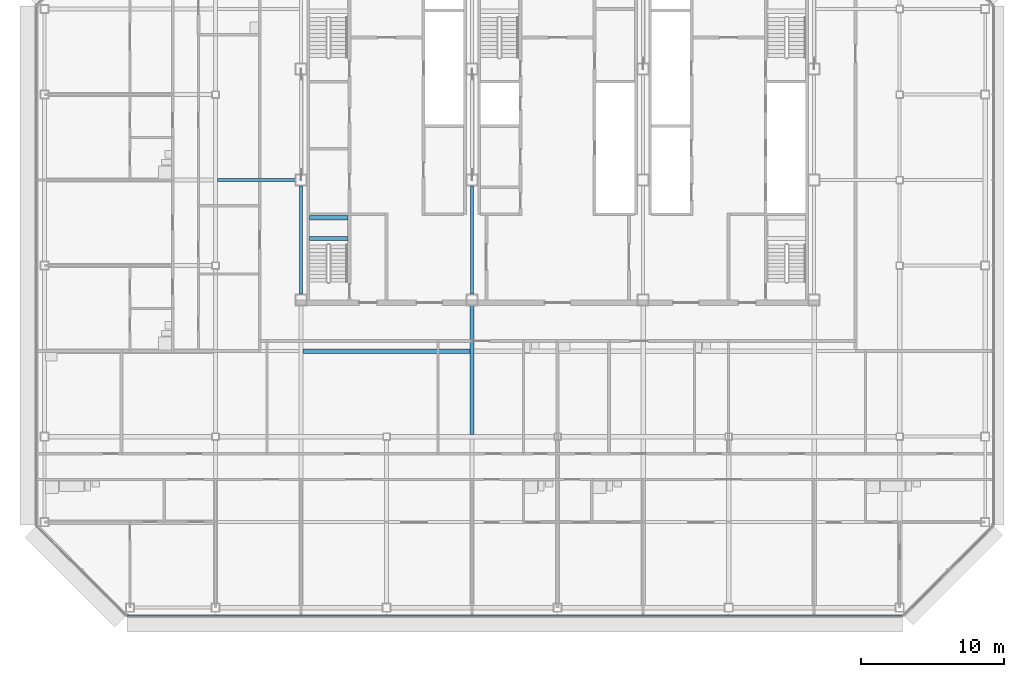
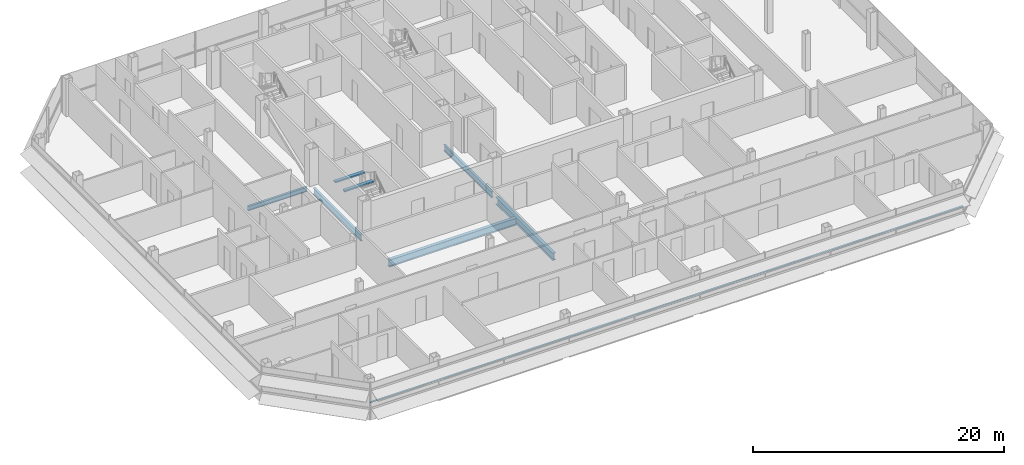
# One storey, part 8 of 28: 7 beams, 1 member, 1 element without a shape of its own.
"""IFC4 building model written with IfcOpenShell, lengths in metres."""

from ifc_helpers import new_model, si_unit, direction, frame, origin, origin_2d, place, context, subcontext, project, spatial, rectangle, i_section, extrude, material, material_profile, profile_set, type_object, element, aggregate, save


model = new_model("IFC4")

# Units and contexts
model_context = context("Model", 3, precision=1e-05, world=origin(), true_north=direction((0.0, 1.0)))
body_context = subcontext(model_context, "Body", "Model", "MODEL_VIEW")
ifc_project = project(units=[si_unit("LENGTHUNIT", "METRE"), si_unit("AREAUNIT", "SQUARE_METRE"), si_unit("VOLUMEUNIT", "CUBIC_METRE"), si_unit("PLANEANGLEUNIT", "RADIAN"), si_unit("MASSUNIT", "GRAM", prefix="KILO")], contexts=[model_context])

# Site, building, storey
site_placement = place(None, origin())
site = spatial("IfcSite", under=ifc_project, at=site_placement, CompositionType="ELEMENT")
building_placement = place(site_placement, origin())
building = spatial("IfcBuilding", under=site, at=building_placement, Name="Sorahane Residences", CompositionType="ELEMENT")
storey_placement = place(building_placement, frame((0.0, 0.0, 270.199951171875)))
storey = spatial("IfcBuildingStorey", under=building, at=storey_placement, Name="L64", CompositionType="ELEMENT", Elevation=270.199951171875)

# Curtain wall, member
ifc_material_1 = material(Name="Dark low-e glass and black anodised aluminium", Category="aluminium")
curtain_wall_type = type_object("IfcCurtainWallType", Name="Curtain wall CW-1 Typical unitised wall", PredefinedType="NOTDEFINED", material=ifc_material_1)
curtain_wall_placement = place(storey_placement, origin())
curtain_wall = element("IfcCurtainWall", 1, at=curtain_wall_placement, inside=storey, type_object=curtain_wall_type, Name="CW-1 curtain wall L64 S1", PredefinedType="NOTDEFINED")
ifc_material_2 = material(Name="Black anodised aluminium", Category="aluminium")
ifc_material_profile_1 = material_profile(ifc_material_2, rectangle(XDim=0.10009765625, YDim=0.06005859375, at=origin_2d()), Name="Curtain wall transom CW-1 black anodised aluminium 60x100")
ifc_profile_set_1 = profile_set([ifc_material_profile_1], Name="Black anodised aluminium")
member_type = type_object("IfcMemberType", Name="Curtain wall transom CW-1 black anodised aluminium 60x100", PredefinedType="USERDEFINED", material=ifc_profile_set_1)
member_placement = place(storey_placement, frame((-6.198486328125, -0.530029296875, 1.5), z_axis=(1.0, 0.0, 0.0), x_axis=(0.0, 1.0, 0.0)))
member = element("IfcMember", 2, at=member_placement, type_object=member_type, Name="CW-1 transom L64 S1", ObjectType="TRANSOM", PredefinedType="USERDEFINED", context=body_context, shape_type="SweptSolid", body=[
    extrude(rectangle(XDim=0.10009765625, YDim=0.06005859375, at=origin_2d()), origin(), (0.0, 0.0, 1.0), 54.39697265625),
])
aggregate(curtain_wall, [member])

# Beams
ifc_material_3 = material(Name="Concrete C40", Category="concrete")
ifc_material_profile_2 = material_profile(ifc_material_3, rectangle(XDim=0.300048828125, YDim=0.139892578125, at=origin_2d()), Name="300x140")
ifc_profile_set_2 = profile_set([ifc_material_profile_2], Name="Concrete C40")
beam_type_1 = type_object("IfcBeamType", Name="RC landing beam 300 x 140 Concrete C40", PredefinedType="BEAM", material=ifc_profile_set_2)
for number, where, z_axis, x_axis, name in (
    (3, (6.60009765625, 25.89990234375, 1.530029296875), (1.0, 0.0, 0.0), (0.0, 1.0, 0.0), "Landing beam"),
    (4, (6.60009765625, 27.35009765625, 1.530029296875), (1.0, 0.0, 0.0), (0.0, 1.0, 0.0), "Landing beam"),
):
    element("IfcBeam", number, at=place(storey_placement, frame(where, z_axis=z_axis, x_axis=x_axis)), inside=storey, type_object=beam_type_1, Name=name, PredefinedType="BEAM", context=body_context, shape_type="SweptSolid", body=[
        extrude(rectangle(XDim=0.300048828125, YDim=0.139892578125, at=origin_2d()), origin(), (0.0, 0.0, 1.0), 2.699951171875),
    ])
ifc_material_4 = material(Name="Steel Q355B", Category="steel")
ifc_material_profile_3 = material_profile(ifc_material_4, i_section(OverallWidth=0.199951171875, OverallDepth=0.449951171875, WebThickness=0.009033203125, FlangeThickness=0.013916015625, FilletRadius=0.02001953125, at=origin_2d()), Name="HN 450x200x9x14")
ifc_profile_set_3 = profile_set([ifc_material_profile_3], Name="Steel Q355B")
beam_type_2 = type_object("IfcBeamType", Name="Steel floor beam HN 450x200x9x14 Q355B", PredefinedType="BEAM", material=ifc_profile_set_3)
beam_1_placement = place(storey_placement, frame((0.14990234375, 30.0, -0.405029296875), z_axis=(1.0, 0.0, 0.0), x_axis=(0.0, 1.0, 0.0)))
element("IfcBeam", 5, at=beam_1_placement, inside=storey, type_object=beam_type_2, Name="Beam L64 086", PredefinedType="BEAM", context=body_context, shape_type="SweptSolid", body=[
    extrude(i_section(OverallWidth=0.199951171875, OverallDepth=0.449951171875, WebThickness=0.009033203125, FlangeThickness=0.013916015625, FilletRadius=0.02001953125, at=origin_2d()), origin(), (0.0, 0.0, 1.0), 5.4501953125),
])
ifc_material_5 = material(Name="Steel Q355B", Category="steel")
ifc_material_profile_4 = material_profile(ifc_material_5, i_section(OverallWidth=0.199951171875, OverallDepth=0.60009765625, WebThickness=0.010986328125, FlangeThickness=0.01708984375, FilletRadius=0.02392578125, at=origin_2d()), Name="HN 600x200x11x17")
ifc_profile_set_4 = profile_set([ifc_material_profile_4], Name="Steel Q355B")
beam_type_3 = type_object("IfcBeamType", Name="Steel floor beam HN 600x200x11x17 Q355B", PredefinedType="BEAM", material=ifc_profile_set_4)
for number, where, z_axis, x_axis, name in (
    (6, (6.0, 22.0, -0.47998046875), (0.0, 1.0, 0.0), (-1.0, 0.0, 0.0), "Beam L64 030"),
    (7, (18.0, 22.0, -0.47998046875), (0.0, 1.0, 0.0), (-1.0, 0.0, 0.0), "Beam L64 038"),
):
    element("IfcBeam", number, at=place(storey_placement, frame(where, z_axis=z_axis, x_axis=x_axis)), inside=storey, type_object=beam_type_3, Name=name, PredefinedType="BEAM", context=body_context, shape_type="SweptSolid", body=[
        extrude(i_section(OverallWidth=0.199951171875, OverallDepth=0.60009765625, WebThickness=0.010986328125, FlangeThickness=0.01708984375, FilletRadius=0.02392578125, at=origin_2d()), origin(), (0.0, 0.0, 1.0), 7.60009765625),
    ])
ifc_material_6 = material(Name="Steel Q355B", Category="steel")
ifc_material_profile_5 = material_profile(ifc_material_6, i_section(OverallWidth=0.300048828125, OverallDepth=0.699951171875, WebThickness=0.012939453125, FlangeThickness=0.02392578125, FilletRadius=0.028076171875, at=origin_2d()), Name="HN 700x300x13x24")
ifc_profile_set_5 = profile_set([ifc_material_profile_5], Name="Steel Q355B")
beam_type_4 = type_object("IfcBeamType", Name="Steel floor beam HN 700x300x13x24 Q355B", PredefinedType="BEAM", material=ifc_profile_set_5)
beam_2_placement = place(storey_placement, frame((18.0, 12.14990234375, -0.530029296875), z_axis=(0.0, 1.0, 0.0), x_axis=(-1.0, 0.0, 0.0)))
element("IfcBeam", 8, at=beam_2_placement, inside=storey, type_object=beam_type_4, Name="Beam L64 037", PredefinedType="BEAM", context=body_context, shape_type="SweptSolid", body=[
    extrude(i_section(OverallWidth=0.300048828125, OverallDepth=0.699951171875, WebThickness=0.012939453125, FlangeThickness=0.02392578125, FilletRadius=0.028076171875, at=origin_2d()), origin(), (0.0, 0.0, 1.0), 9.050048828125),
])
beam_3_placement = place(storey_placement, frame((6.14990234375, 18.0, -0.530029296875), z_axis=(1.0, 0.0, 0.0), x_axis=(0.0, 1.0, 0.0)))
element("IfcBeam", 9, at=beam_3_placement, inside=storey, type_object=beam_type_4, Name="Beam L64 080", PredefinedType="BEAM", context=body_context, shape_type="SweptSolid", body=[
    extrude(i_section(OverallWidth=0.300048828125, OverallDepth=0.699951171875, WebThickness=0.012939453125, FlangeThickness=0.02392578125, FilletRadius=0.028076171875, at=origin_2d()), origin(), (0.0, 0.0, 1.0), 11.7001953125),
])

save(model, "model.ifc")
